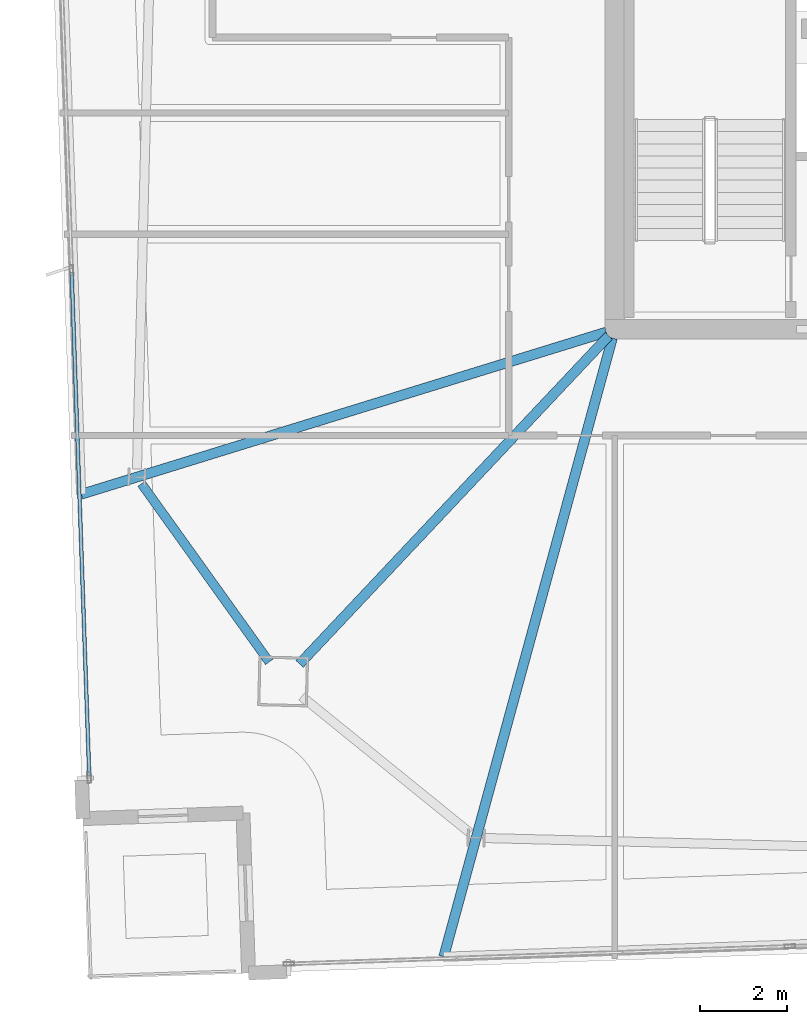
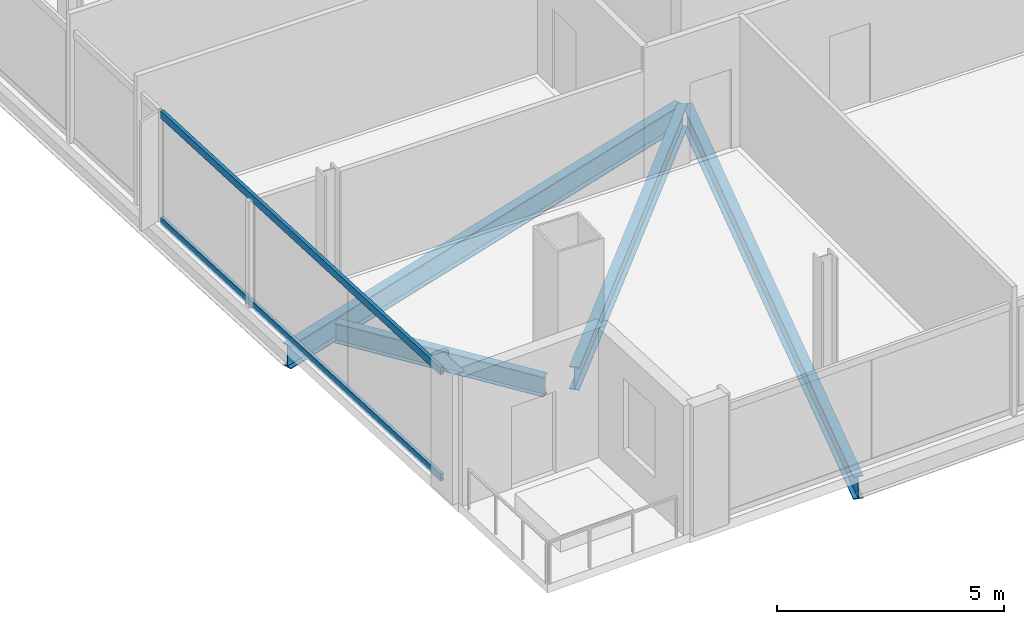
# One storey, part 3 of 23: 4 beams, 2 members, 1 element without a shape of its own.
"""IFC4 building model written with IfcOpenShell, lengths in metres."""

from ifc_helpers import new_model, si_unit, direction, frame, origin, origin_2d, place, context, subcontext, project, spatial, hollow_rectangle, i_section, extrude, material, material_profile, profile_set, type_object, element, aggregate, save


model = new_model("IFC4")

# Units and contexts
model_context = context("Model", 3, precision=1e-05, world=origin(), true_north=direction((0.0, 1.0)))
body_context = subcontext(model_context, "Body", "Model", "MODEL_VIEW")
ifc_project = project(units=[si_unit("LENGTHUNIT", "METRE"), si_unit("AREAUNIT", "SQUARE_METRE"), si_unit("VOLUMEUNIT", "CUBIC_METRE"), si_unit("PLANEANGLEUNIT", "RADIAN"), si_unit("MASSUNIT", "GRAM", prefix="KILO")], contexts=[model_context])

# Site, building, storey
site_placement = place(None, origin())
site = spatial("IfcSite", under=ifc_project, at=site_placement, CompositionType="ELEMENT")
building_placement = place(site_placement, origin())
building = spatial("IfcBuilding", under=site, at=building_placement, Name="Haldenkirk Collegiate Tower", CompositionType="ELEMENT")
storey_placement = place(building_placement, frame((0.0, 0.0, 336.449951171875)))
storey = spatial("IfcBuildingStorey", under=building, at=storey_placement, Name="L85", CompositionType="ELEMENT", Elevation=336.449951171875)

# Beams
ifc_material_1 = material(Name="Steel ASTM A992 Grade 50", Category="steel")
ifc_material_profile_1 = material_profile(ifc_material_1, i_section(OverallWidth=0.22998046875, OverallDepth=0.616943359375, WebThickness=0.01318359375, FlangeThickness=0.022216796875, at=origin_2d()), Name="W24X94")
ifc_profile_set_1 = profile_set([ifc_material_profile_1], Name="Steel ASTM A992 Grade 50")
beam_type_1 = type_object("IfcBeamType", Name="BM-GIRDER-W24X94", PredefinedType="BEAM", material=ifc_profile_set_1)
beam_1_placement = place(storey_placement, frame((19.717041015625, 10.2705078125, -0.568359375), z_axis=(0.685767478835, 0.72782069562, 0.0), x_axis=(-0.72782069562, 0.685767478835, 0.0)))
element("IfcBeam", 1, at=beam_1_placement, inside=storey, type_object=beam_type_1, Name="L85 primary floor girder 04", PredefinedType="BEAM", context=body_context, shape_type="SweptSolid", body=[
    extrude(i_section(OverallWidth=0.22998046875, OverallDepth=0.616943359375, WebThickness=0.01318359375, FlangeThickness=0.022216796875, at=origin_2d()), origin(), (0.0, 0.0, 1.0), 10.4150390625),
])
beam_2_placement = place(storey_placement, frame((14.669189453125, 14.1904296875, -0.568359375), z_axis=(0.955442567455, 0.295177066006, 0.0), x_axis=(-0.295177066006, 0.955442567455, 0.0)))
element("IfcBeam", 2, at=beam_2_placement, inside=storey, type_object=beam_type_1, Name="L85 primary floor girder 13", PredefinedType="BEAM", context=body_context, shape_type="SweptSolid", body=[
    extrude(i_section(OverallWidth=0.22998046875, OverallDepth=0.616943359375, WebThickness=0.01318359375, FlangeThickness=0.022216796875, at=origin_2d()), origin(), (0.0, 0.0, 1.0), 12.700927734375),
])
beam_3_placement = place(storey_placement, frame((23.046875, 3.504150390625, -0.568359375), z_axis=(0.263097891005, 0.96476914324, 0.0), x_axis=(-0.96476914324, 0.263097891005, 0.0)))
element("IfcBeam", 3, at=beam_3_placement, inside=storey, type_object=beam_type_1, Name="L85 primary floor girder 14", PredefinedType="BEAM", context=body_context, shape_type="SweptSolid", body=[
    extrude(i_section(OverallWidth=0.22998046875, OverallDepth=0.616943359375, WebThickness=0.01318359375, FlangeThickness=0.022216796875, at=origin_2d()), origin(), (0.0, 0.0, 1.0), 14.8203125),
])
ifc_material_profile_2 = material_profile(ifc_material_1, i_section(OverallWidth=0.2099609375, OverallDepth=0.537109375, WebThickness=0.010986328125, FlangeThickness=0.017333984375, at=origin_2d()), Name="W21X68")
ifc_profile_set_2 = profile_set([ifc_material_profile_2], Name="Steel ASTM A992 Grade 50")
beam_type_2 = type_object("IfcBeamType", Name="BM-SPANDREL-W21X68", PredefinedType="SPANDREL", material=ifc_profile_set_2)
beam_4_placement = place(storey_placement, frame((16.064208984375, 14.434814453125, -0.528564453125), z_axis=(0.582300220922, -0.812973832737, 0.0), x_axis=(0.812973832737, 0.582300220922, 0.0)))
element("IfcBeam", 4, at=beam_4_placement, inside=storey, type_object=beam_type_2, Name="L85 perimeter spandrel beam 12", PredefinedType="SPANDREL", context=body_context, shape_type="SweptSolid", body=[
    extrude(i_section(OverallWidth=0.2099609375, OverallDepth=0.537109375, WebThickness=0.010986328125, FlangeThickness=0.017333984375, at=origin_2d()), origin(), (0.0, 0.0, 1.0), 5.064453125),
])

# Curtain wall, members
ifc_material_2 = material(Name="Anodised architectural bronze aluminium", Category="aluminium")
curtain_wall_type = type_object("IfcCurtainWallType", Name="CW-SYS1B-CONVEX-HI", PredefinedType="USERDEFINED", material=ifc_material_2)
curtain_wall_placement = place(storey_placement, origin())
curtain_wall = element("IfcCurtainWall", 5, at=curtain_wall_placement, inside=storey, type_object=curtain_wall_type, Name="L85 Upper tower high-wind convex bronze unitised curtain wall", ObjectType="UNITISED CURTAIN WALL", PredefinedType="USERDEFINED")
ifc_material_profile_3 = material_profile(ifc_material_2, hollow_rectangle(XDim=0.0849609375, YDim=0.199951171875, WallThickness=0.0048828125, at=origin_2d()), Name="CW-TRN-1B")
ifc_profile_set_3 = profile_set([ifc_material_profile_3], Name="Anodised architectural bronze aluminium")
member_type = type_object("IfcMemberType", Name="CW-TRN-1B", PredefinedType="USERDEFINED", material=ifc_profile_set_3)
member_1_placement = place(storey_placement, frame((14.8564453125, 7.68603515625, 0.04248046875), z_axis=(-0.034903685439, 0.999390680736, 0.0), x_axis=(-0.999390680736, -0.034903685439, 0.0)))
member_1 = element("IfcMember", 6, at=member_1_placement, type_object=member_type, Name="CW-1B transom 1.1", ObjectType="TRANSOM", PredefinedType="USERDEFINED", context=body_context, shape_type="SweptSolid", body=[
    extrude(hollow_rectangle(XDim=0.0849609375, YDim=0.199951171875, WallThickness=0.0048828125, at=origin_2d()), origin(), (0.0, 0.0, 1.0), 11.63916015625),
])
member_2_placement = place(storey_placement, frame((14.8564453125, 7.68603515625, 2.905517578125), z_axis=(-0.034903685439, 0.999390680736, 0.0), x_axis=(-0.999390680736, -0.034903685439, 0.0)))
member_2 = element("IfcMember", 7, at=member_2_placement, type_object=member_type, Name="CW-1B transom 1.2", ObjectType="TRANSOM", PredefinedType="USERDEFINED", context=body_context, shape_type="SweptSolid", body=[
    extrude(hollow_rectangle(XDim=0.0849609375, YDim=0.199951171875, WallThickness=0.0048828125, at=origin_2d()), origin(), (0.0, 0.0, 1.0), 11.63916015625),
])
aggregate(curtain_wall, [member_1, member_2])

save(model, "model.ifc")
